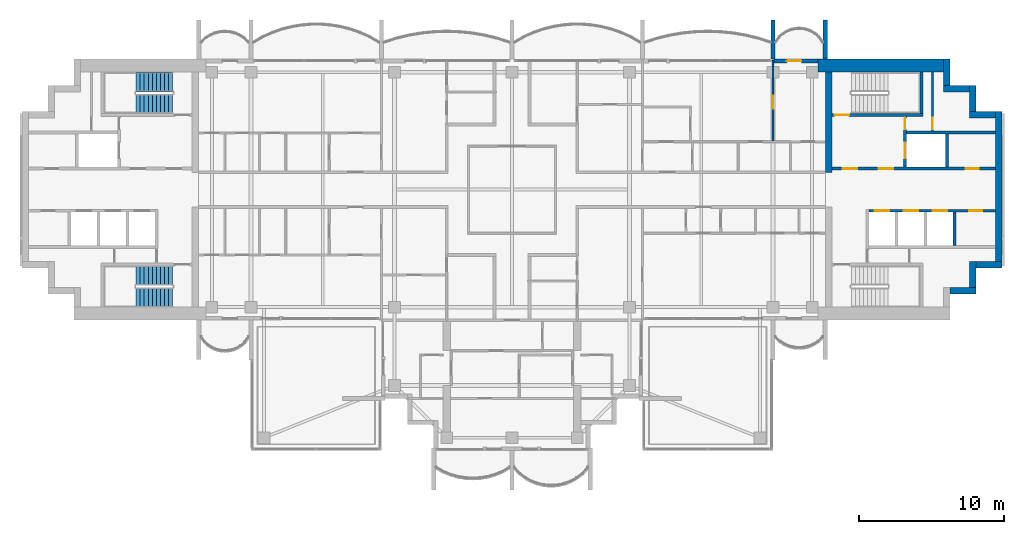
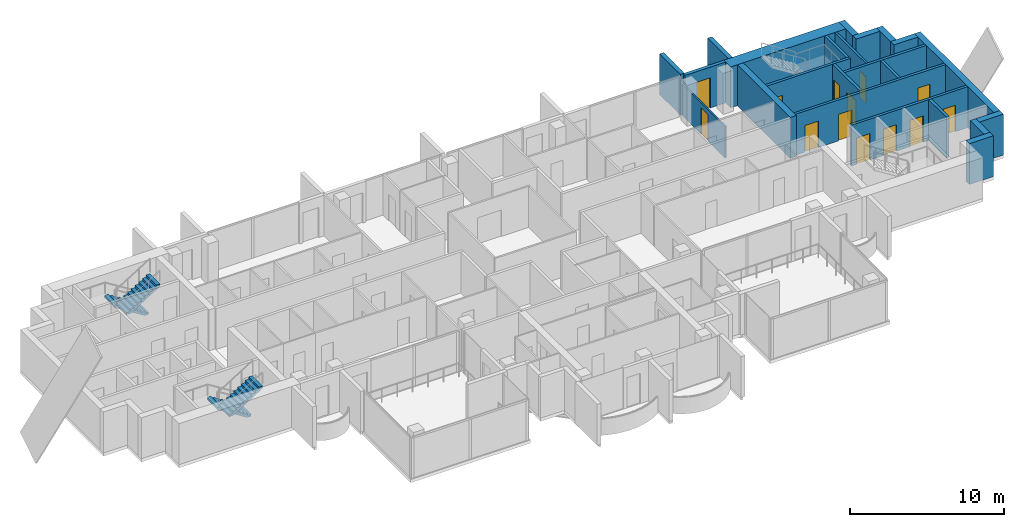
# One storey, part 12 of 17: 23 walls, 13 doors, 4 stair flights, 13 openings, 2 elements without a shape of their own.
"""IFC4 building model written with IfcOpenShell, lengths in metres."""

from ifc_helpers import new_model, si_unit, direction, frame, frame_2d, origin, place, context, subcontext, project, spatial, polyline, rectangle, outline, extrude, material, layer, layer_set, type_object, element, fill, aggregate, save


model = new_model("IFC4")

# Units and contexts
model_context = context("Model", 3, precision=1e-05, world=origin(), true_north=direction((0.0, 1.0)))
body_context = subcontext(model_context, "Body", "Model", "MODEL_VIEW")
ifc_project = project(units=[si_unit("LENGTHUNIT", "METRE"), si_unit("AREAUNIT", "SQUARE_METRE"), si_unit("VOLUMEUNIT", "CUBIC_METRE"), si_unit("PLANEANGLEUNIT", "RADIAN"), si_unit("MASSUNIT", "GRAM", prefix="KILO")], contexts=[model_context])

# Site, building, storey
site_placement = place(None, origin())
site = spatial("IfcSite", under=ifc_project, at=site_placement, CompositionType="ELEMENT")
building_placement = place(site_placement, origin())
building = spatial("IfcBuilding", under=site, at=building_placement, Name="Perihelion Cross Residences", CompositionType="ELEMENT")
storey_placement = place(building_placement, frame((0.0, 0.0, 278.0)))
storey = spatial("IfcBuildingStorey", under=building, at=storey_placement, Name="L71", CompositionType="ELEMENT", Elevation=278.0)

# Wall, opening, door
ifc_material_1 = material(Name="Concrete C30/37, bronze-clad", Category="concrete")
ifc_layer_1 = layer(ifc_material_1, 0.25)
ifc_layer_set_1 = layer_set([ifc_layer_1], Name="Bronze-clad pier wall 250")
wall_type_1 = type_object("IfcWallType", Name="Bronze-clad pier wall 250", PredefinedType="SOLIDWALL", material=ifc_layer_set_1)
wall_1_placement = place(storey_placement, frame((21.10009765625, 8.875, 0.0), z_axis=(0.0, 0.0, 1.0), x_axis=(-1.0, 0.0, 0.0)))
wall_1 = element("IfcWall", 1, at=wall_1_placement, inside=storey, type_object=wall_type_1, Name="Wall FW1 L71 east side north bay 1 pier", PredefinedType="SOLIDWALL", context=body_context, shape_type="SweptSolid", body=[
    extrude(rectangle(XDim=3.0400390625, YDim=0.25, at=frame_2d((1.52001953125, 0.0))), origin(), (0.0, 0.0, 1.0), 3.25),
])
opening_1_placement = place(wall_1_placement, frame((1.14990234375, 0.0, 0.0)))
opening_1 = element("IfcOpeningElement", 2, at=opening_1_placement, cuts=wall_1, Name="Opening L71.E01", PredefinedType="OPENING", context=body_context, shape_type="SweptSolid", body=[
    extrude(rectangle(XDim=1.0, YDim=2.39990234375, at=frame_2d((0.5, 1.199951171875))), frame((0.0, 0.135009765625, 0.0), z_axis=(0.0, -1.0, 0.0), x_axis=(1.0, 0.0, 0.0)), (0.0, 0.0, 1.0), 0.27001953125),
])
ifc_material_2 = material(Name="Bronze anodised aluminium, glazed", Category="aluminium")
door_type_1 = type_object("IfcDoorType", Name="Balcony door 1000 x 2400", OperationType="NOTDEFINED", PredefinedType="DOOR", material=ifc_material_2)
door_1_placement = place(opening_1_placement, origin())
door_1 = element("IfcDoor", 3, at=door_1_placement, inside=storey, type_object=door_type_1, Name="Door L71.E01 east side north bay 1", OperationType="SINGLE_SWING_LEFT", OverallHeight=2.39990234375, OverallWidth=1.0, PredefinedType="DOOR", context=body_context, shape_type="SweptSolid", body=[
    extrude(rectangle(XDim=1.0, YDim=2.39990234375, at=frame_2d((0.5, 1.199951171875))), frame((0.0, 0.02490234375, 0.0), z_axis=(0.0, -1.0, 0.0), x_axis=(1.0, 0.0, 0.0)), (0.0, 0.0, 1.0), 0.050048828125),
])
fill(opening_1, door_1)

# Walls
ifc_material_3 = material(Name="Concrete C60/75", Category="concrete")
ifc_layer_2 = layer(ifc_material_3, 0.449951171875)
ifc_layer_set_2 = layer_set([ifc_layer_2], Name="Core wall, inner 450")
wall_type_2 = type_object("IfcWallType", Name="Core wall, inner 450", PredefinedType="SHEAR", material=ifc_layer_set_2)
wall_2_placement = place(storey_placement, frame((21.824951171875, 1.199951171875, 0.0), z_axis=(0.0, 0.0, 1.0), x_axis=(0.0, 1.0, 0.0)))
element("IfcWall", 4, at=wall_2_placement, inside=storey, type_object=wall_type_2, Name="East core core wall, inner", PredefinedType="SHEAR", context=body_context, shape_type="SweptSolid", body=[
    extrude(rectangle(XDim=6.900146484375, YDim=0.449951171875, at=frame_2d((3.4501953125, 0.0))), origin(), (0.0, 0.0, 1.0), 3.25),
])
ifc_material_4 = material(Name="Concrete C60/75", Category="concrete")
ifc_layer_3 = layer(ifc_material_4, 0.449951171875)
ifc_layer_set_3 = layer_set([ifc_layer_3], Name="Core wall, outer 450")
wall_type_3 = type_object("IfcWallType", Name="Core wall, outer 450", PredefinedType="SHEAR", material=ifc_layer_set_3)
for number, where, z_axis, x_axis, name in (
    (5, (30.199951171875, -6.97509765625, 0.0), (0.0, 0.0, 1.0), (1.0, 0.0, 0.0), "East core core wall, outer"),
    (6, (31.77490234375, -6.75, 0.0), (0.0, 0.0, 1.0), (0.0, 1.0, 0.0), "East core core wall, outer"),
    (7, (32.0, -5.175048828125, 0.0), (0.0, 0.0, 1.0), (1.0, 0.0, 0.0), "East core core wall, outer"),
):
    element("IfcWall", number, at=place(storey_placement, frame(where, z_axis=z_axis, x_axis=x_axis)), inside=storey, type_object=wall_type_3, Name=name, PredefinedType="SHEAR", context=body_context, shape_type="SweptSolid", body=[
        extrude(rectangle(XDim=1.800048828125, YDim=0.449951171875, at=frame_2d((0.89990234375, 0.0))), origin(), (0.0, 0.0, 1.0), 3.25),
    ])
wall_3_placement = place(storey_placement, frame((33.574951171875, -4.949951171875, 0.0), z_axis=(0.0, 0.0, 1.0), x_axis=(0.0, 1.0, 0.0)))
element("IfcWall", 8, at=wall_3_placement, inside=storey, type_object=wall_type_3, Name="East core core wall, outer", PredefinedType="SHEAR", context=body_context, shape_type="SweptSolid", body=[
    extrude(rectangle(XDim=10.349853515625, YDim=0.449951171875, at=frame_2d((5.1748046875, 0.0))), origin(), (0.0, 0.0, 1.0), 3.25),
])
for number, where, z_axis, x_axis, name in (
    (9, (31.550048828125, 5.175048828125, 0.0), (0.0, 0.0, 1.0), (1.0, 0.0, 0.0), "East core core wall, outer"),
    (10, (31.77490234375, 5.39990234375, 0.0), (0.0, 0.0, 1.0), (0.0, 1.0, 0.0), "East core core wall, outer"),
    (11, (29.75, 6.97509765625, 0.0), (0.0, 0.0, 1.0), (1.0, 0.0, 0.0), "East core core wall, outer"),
    (12, (29.97509765625, 7.199951171875, 0.0), (0.0, 0.0, 1.0), (0.0, 1.0, 0.0), "East core core wall, outer"),
):
    element("IfcWall", number, at=place(storey_placement, frame(where, z_axis=z_axis, x_axis=x_axis)), inside=storey, type_object=wall_type_3, Name=name, PredefinedType="SHEAR", context=body_context, shape_type="SweptSolid", body=[
        extrude(rectangle(XDim=1.800048828125, YDim=0.449951171875, at=frame_2d((0.89990234375, 0.0))), origin(), (0.0, 0.0, 1.0), 3.25),
    ])
ifc_material_5 = material(Name="Concrete C60/75", Category="concrete")
ifc_layer_4 = layer(ifc_material_5, 0.89990234375)
ifc_layer_set_4 = layer_set([ifc_layer_4], Name="Core wall, outer 900")
wall_type_4 = type_object("IfcWallType", Name="Core wall, outer 900", PredefinedType="SHEAR", material=ifc_layer_set_4)
wall_4_placement = place(storey_placement, frame((21.10009765625, 8.550048828125, 0.0), z_axis=(0.0, 0.0, 1.0), x_axis=(1.0, 0.0, 0.0)))
element("IfcWall", 13, at=wall_4_placement, inside=storey, type_object=wall_type_4, Name="East core core wall, outer", PredefinedType="SHEAR", context=body_context, shape_type="SweptSolid", body=[
    extrude(rectangle(XDim=8.64990234375, YDim=0.89990234375, at=frame_2d((4.324951171875, 0.0))), origin(), (0.0, 0.0, 1.0), 3.25),
])

# Wall, opening, door
ifc_material_6 = material(Name="Plasterboard partition")
ifc_layer_5 = layer(ifc_material_6, 0.1201171875)
ifc_layer_set_5 = layer_set([ifc_layer_5], Name="Partition wall 120")
wall_type_5 = type_object("IfcWallType", Name="Partition wall 120", PredefinedType="PARTITIONING", material=ifc_layer_set_5)
wall_5_placement = place(storey_placement, frame((18.0, 8.919921875, 0.0), z_axis=(0.0, 0.0, 1.0), x_axis=(0.0, -1.0, 0.0)))
wall_5 = element("IfcWall", 14, at=wall_5_placement, inside=storey, type_object=wall_type_5, Name="Partition L71 W031", PredefinedType="PARTITIONING", context=body_context, shape_type="SweptSolid", body=[
    extrude(rectangle(XDim=5.559814453125, YDim=0.1201171875, at=frame_2d((2.77978515625, 0.0))), origin(), (0.0, 0.0, 1.0), 2.49609375),
])
opening_2_placement = place(wall_5_placement, frame((2.43994140625, 0.0, 0.0)))
opening_2 = element("IfcOpeningElement", 15, at=opening_2_placement, cuts=wall_5, Name="Opening L71.A08", PredefinedType="OPENING", context=body_context, shape_type="SweptSolid", body=[
    extrude(rectangle(XDim=0.89990234375, YDim=2.10009765625, at=frame_2d((0.449951171875, 1.050048828125))), frame((0.0, 0.070068359375, 0.0), z_axis=(0.0, -1.0, 0.0), x_axis=(1.0, 0.0, 0.0)), (0.0, 0.0, 1.0), 0.14013671875),
])
ifc_material_7 = material(Name="Timber door leaf", Category="wood")
door_type_2 = type_object("IfcDoorType", Name="Interior room door 900 x 2100", OperationType="SINGLE_SWING_LEFT", PredefinedType="DOOR", material=ifc_material_7)
door_2_placement = place(opening_2_placement, origin())
door_2 = element("IfcDoor", 16, at=door_2_placement, inside=storey, type_object=door_type_2, Name="Door L71.A08", OperationType="SINGLE_SWING_LEFT", OverallHeight=2.10009765625, OverallWidth=0.89990234375, PredefinedType="DOOR", context=body_context, shape_type="SweptSolid", body=[
    extrude(rectangle(XDim=0.89990234375, YDim=2.10009765625, at=frame_2d((0.449951171875, 1.050048828125))), frame((0.0, 0.02490234375, 0.0), z_axis=(0.0, -1.0, 0.0), x_axis=(1.0, 0.0, 0.0)), (0.0, 0.0, 1.0), 0.050048828125),
])
fill(opening_2, door_2)

# Walls
ifc_material_8 = material(Name="Precast concrete C50/60", Category="concrete")
ifc_layer_6 = layer(ifc_material_8, 0.300048828125)
ifc_layer_set_6 = layer_set([ifc_layer_6], Name="Precast concrete C50/60 blade wall 300")
wall_type_6 = type_object("IfcWallType", Name="Precast concrete C50/60 blade wall 300", PredefinedType="SOLIDWALL", material=ifc_layer_set_6)
for number, where, z_axis, x_axis, name in (
    (17, (18.0, 9.0, 0.0), (0.0, 0.0, 1.0), (0.0, 1.0, 0.0), "Wall BL1 L71 no. 11"),
    (18, (21.60009765625, 9.0, 0.0), (0.0, 0.0, 1.0), (0.0, 1.0, 0.0), "Wall BL1 L71 no. 13"),
):
    element("IfcWall", number, at=place(storey_placement, frame(where, z_axis=z_axis, x_axis=x_axis)), inside=storey, type_object=wall_type_6, Name=name, PredefinedType="SOLIDWALL", context=body_context, shape_type="SweptSolid", body=[
        extrude(rectangle(XDim=2.699951171875, YDim=0.300048828125, at=frame_2d((1.35009765625, 0.0))), origin(), (0.0, 0.0, 1.0), 3.25),
    ])

# Wall, opening, door
ifc_material_9 = material(Name="Fire-rated board on steel stud", Category="steel")
ifc_layer_7 = layer(ifc_material_9, 0.14990234375)
ifc_layer_set_7 = layer_set([ifc_layer_7], Name="Riser wall 150")
wall_type_7 = type_object("IfcWallType", Name="Riser wall 150", PredefinedType="PARTITIONING", material=ifc_layer_set_7)
wall_6_placement = place(storey_placement, frame((29.0, 4.050048828125, 0.0), z_axis=(0.0, 0.0, 1.0), x_axis=(0.0, 1.0, 0.0)))
wall_6 = element("IfcWall", 19, at=wall_6_placement, inside=storey, type_object=wall_type_7, Name="East core riser wall", PredefinedType="PARTITIONING", context=body_context, shape_type="SweptSolid", body=[
    extrude(rectangle(XDim=4.050048828125, YDim=0.14990234375, at=frame_2d((2.02490234375, 0.0))), origin(), (0.0, 0.0, 1.0), 3.25),
])
opening_3_placement = place(wall_6_placement, frame((0.10009765625, 0.0, 0.0)))
opening_3 = element("IfcOpeningElement", 20, at=opening_3_placement, cuts=wall_6, Name="Opening L71.C12", PredefinedType="OPENING", context=body_context, shape_type="SweptSolid", body=[
    extrude(rectangle(XDim=0.800048828125, YDim=2.10009765625, at=frame_2d((0.39990234375, 1.050048828125))), frame((0.0, 0.0849609375, 0.0), z_axis=(0.0, -1.0, 0.0), x_axis=(1.0, 0.0, 0.0)), (0.0, 0.0, 1.0), 0.169921875),
])
ifc_material_10 = material(Name="Steel, powder coated", Category="steel")
door_type_3 = type_object("IfcDoorType", Name="Riser door 800", OperationType="SINGLE_SWING_LEFT", PredefinedType="DOOR", material=ifc_material_10)
door_3_placement = place(opening_3_placement, origin())
door_3 = element("IfcDoor", 21, at=door_3_placement, inside=storey, type_object=door_type_3, Name="East core riser door", OperationType="SINGLE_SWING_LEFT", OverallHeight=2.10009765625, OverallWidth=0.800048828125, PredefinedType="DOOR", context=body_context, shape_type="SweptSolid", body=[
    extrude(rectangle(XDim=0.800048828125, YDim=2.10009765625, at=frame_2d((0.39990234375, 1.050048828125))), frame((0.0, 0.02490234375, 0.0), z_axis=(0.0, -1.0, 0.0), x_axis=(1.0, 0.0, 0.0)), (0.0, 0.0, 1.0), 0.050048828125),
])
fill(opening_3, door_3)

# Wall, openings, doors
ifc_material_11 = material(Name="Concrete C50/60", Category="concrete")
ifc_layer_8 = layer(ifc_material_11, 0.199951171875)
ifc_layer_set_8 = layer_set([ifc_layer_8], Name="Shaft wall 200")
wall_type_8 = type_object("IfcWallType", Name="Shaft wall 200", PredefinedType="SOLIDWALL", material=ifc_layer_set_8)
wall_7_placement = place(storey_placement, frame((22.050048828125, 1.449951171875, 0.0), z_axis=(0.0, 0.0, 1.0), x_axis=(1.0, 0.0, 0.0)))
wall_7 = element("IfcWall", 22, at=wall_7_placement, inside=storey, type_object=wall_type_8, Name="East core shaft wall", PredefinedType="SOLIDWALL", context=body_context, shape_type="SweptSolid", body=[
    extrude(rectangle(XDim=11.300048828125, YDim=0.199951171875, at=frame_2d((5.64990234375, 0.0))), origin(), (0.0, 0.0, 1.0), 3.25),
])
opening_4_placement = place(wall_7_placement, frame((0.75, 0.0, 0.0)))
opening_4 = element("IfcOpeningElement", 23, at=opening_4_placement, cuts=wall_7, Name="Opening L71.C07", PredefinedType="OPENING", context=body_context, shape_type="SweptSolid", body=[
    extrude(rectangle(XDim=1.0, YDim=2.10009765625, at=frame_2d((0.5, 1.050048828125))), frame((0.0, 0.10986328125, 0.0), z_axis=(0.0, -1.0, 0.0), x_axis=(1.0, 0.0, 0.0)), (0.0, 0.0, 1.0), 0.219970703125),
])
opening_5_placement = place(wall_7_placement, frame((3.25, 0.0, 0.0)))
opening_5 = element("IfcOpeningElement", 24, at=opening_5_placement, cuts=wall_7, Name="Opening L71.C09", PredefinedType="OPENING", context=body_context, shape_type="SweptSolid", body=[
    extrude(rectangle(XDim=1.0, YDim=2.10009765625, at=frame_2d((0.5, 1.050048828125))), frame((0.0, 0.10986328125, 0.0), z_axis=(0.0, -1.0, 0.0), x_axis=(1.0, 0.0, 0.0)), (0.0, 0.0, 1.0), 0.219970703125),
])
opening_6_placement = place(wall_7_placement, frame((9.22509765625, 0.0, 0.0)))
opening_6 = element("IfcOpeningElement", 25, at=opening_6_placement, cuts=wall_7, Name="Opening L71.C13", PredefinedType="OPENING", context=body_context, shape_type="SweptSolid", body=[
    extrude(rectangle(XDim=0.89990234375, YDim=2.10009765625, at=frame_2d((0.449951171875, 1.050048828125))), frame((0.0, 0.10986328125, 0.0), z_axis=(0.0, -1.0, 0.0), x_axis=(1.0, 0.0, 0.0)), (0.0, 0.0, 1.0), 0.219970703125),
])
ifc_material_12 = material(Name="Steel, powder coated", Category="steel")
door_type_4 = type_object("IfcDoorType", Name="Lobby door 1000", OperationType="SINGLE_SWING_LEFT", PredefinedType="DOOR", material=ifc_material_12)
door_4_placement = place(opening_4_placement, origin())
door_4 = element("IfcDoor", 26, at=door_4_placement, inside=storey, type_object=door_type_4, Name="East core firefighting lobby door", OperationType="SINGLE_SWING_LEFT", OverallHeight=2.10009765625, OverallWidth=1.0, PredefinedType="DOOR", context=body_context, shape_type="SweptSolid", body=[
    extrude(rectangle(XDim=1.0, YDim=2.10009765625, at=frame_2d((0.5, 1.050048828125))), frame((0.0, 0.02490234375, 0.0), z_axis=(0.0, -1.0, 0.0), x_axis=(1.0, 0.0, 0.0)), (0.0, 0.0, 1.0), 0.050048828125),
])
fill(opening_4, door_4)
door_5_placement = place(opening_5_placement, origin())
door_5 = element("IfcDoor", 27, at=door_5_placement, inside=storey, type_object=door_type_4, Name="East core firefighting lobby door", OperationType="SINGLE_SWING_LEFT", OverallHeight=2.10009765625, OverallWidth=1.0, PredefinedType="DOOR", context=body_context, shape_type="SweptSolid", body=[
    extrude(rectangle(XDim=1.0, YDim=2.10009765625, at=frame_2d((0.5, 1.050048828125))), frame((0.0, 0.02490234375, 0.0), z_axis=(0.0, -1.0, 0.0), x_axis=(1.0, 0.0, 0.0)), (0.0, 0.0, 1.0), 0.050048828125),
])
fill(opening_5, door_5)
ifc_material_13 = material(Name="Steel, powder coated", Category="steel")
door_type_5 = type_object("IfcDoorType", Name="Service room door 900", OperationType="SINGLE_SWING_LEFT", PredefinedType="DOOR", material=ifc_material_13)
door_6_placement = place(opening_6_placement, origin())
door_6 = element("IfcDoor", 28, at=door_6_placement, inside=storey, type_object=door_type_5, Name="East core service room door", OperationType="SINGLE_SWING_LEFT", OverallHeight=2.10009765625, OverallWidth=0.89990234375, PredefinedType="DOOR", context=body_context, shape_type="SweptSolid", body=[
    extrude(rectangle(XDim=0.89990234375, YDim=2.10009765625, at=frame_2d((0.449951171875, 1.050048828125))), frame((0.0, 0.02490234375, 0.0), z_axis=(0.0, -1.0, 0.0), x_axis=(1.0, 0.0, 0.0)), (0.0, 0.0, 1.0), 0.050048828125),
])
fill(opening_6, door_6)

wall_8_placement = place(storey_placement, frame((24.60009765625, -1.449951171875, 0.0), z_axis=(0.0, 0.0, 1.0), x_axis=(1.0, 0.0, 0.0)))
wall_8 = element("IfcWall", 29, at=wall_8_placement, inside=storey, type_object=wall_type_8, Name="East core shaft wall", PredefinedType="SOLIDWALL", context=body_context, shape_type="SweptSolid", body=[
    extrude(rectangle(XDim=8.75, YDim=0.199951171875, at=frame_2d((4.375, 0.0))), origin(), (0.0, 0.0, 1.0), 3.25),
])
opening_7_placement = place(wall_8_placement, frame((0.39990234375, 0.0, 0.0)))
opening_7 = element("IfcOpeningElement", 30, at=opening_7_placement, cuts=wall_8, Name="Opening L71.C01", PredefinedType="OPENING", context=body_context, shape_type="SweptSolid", body=[
    extrude(rectangle(XDim=1.0, YDim=2.10009765625, at=frame_2d((0.5, 1.050048828125))), frame((0.0, 0.10986328125, 0.0), z_axis=(0.0, -1.0, 0.0), x_axis=(1.0, 0.0, 0.0)), (0.0, 0.0, 1.0), 0.219970703125),
])
opening_8_placement = place(wall_8_placement, frame((2.39990234375, 0.0, 0.0)))
opening_8 = element("IfcOpeningElement", 31, at=opening_8_placement, cuts=wall_8, Name="Opening L71.C03", PredefinedType="OPENING", context=body_context, shape_type="SweptSolid", body=[
    extrude(rectangle(XDim=1.0, YDim=2.10009765625, at=frame_2d((0.5, 1.050048828125))), frame((0.0, 0.10986328125, 0.0), z_axis=(0.0, -1.0, 0.0), x_axis=(1.0, 0.0, 0.0)), (0.0, 0.0, 1.0), 0.219970703125),
])
opening_9_placement = place(wall_8_placement, frame((4.39990234375, 0.0, 0.0)))
opening_9 = element("IfcOpeningElement", 32, at=opening_9_placement, cuts=wall_8, Name="Opening L71.C04", PredefinedType="OPENING", context=body_context, shape_type="SweptSolid", body=[
    extrude(rectangle(XDim=1.0, YDim=2.10009765625, at=frame_2d((0.5, 1.050048828125))), frame((0.0, 0.10986328125, 0.0), z_axis=(0.0, -1.0, 0.0), x_axis=(1.0, 0.0, 0.0)), (0.0, 0.0, 1.0), 0.219970703125),
])
opening_10_placement = place(wall_8_placement, frame((6.925048828125, 0.0, 0.0)))
opening_10 = element("IfcOpeningElement", 33, at=opening_10_placement, cuts=wall_8, Name="Opening L71.C14", PredefinedType="OPENING", context=body_context, shape_type="SweptSolid", body=[
    extrude(rectangle(XDim=0.89990234375, YDim=2.10009765625, at=frame_2d((0.449951171875, 1.050048828125))), frame((0.0, 0.10986328125, 0.0), z_axis=(0.0, -1.0, 0.0), x_axis=(1.0, 0.0, 0.0)), (0.0, 0.0, 1.0), 0.219970703125),
])
ifc_material_14 = material(Name="Stainless steel", Category="steel")
door_type_6 = type_object("IfcDoorType", Name="Landing door 1000", OperationType="DOUBLE_DOOR_SLIDING", PredefinedType="DOOR", material=ifc_material_14)
door_7_placement = place(opening_7_placement, origin())
door_7 = element("IfcDoor", 34, at=door_7_placement, inside=storey, type_object=door_type_6, Name="Landing door, East core high-rise lift 1", OperationType="DOUBLE_DOOR_SLIDING", OverallHeight=2.10009765625, OverallWidth=1.0, PredefinedType="DOOR", context=body_context, shape_type="SweptSolid", body=[
    extrude(rectangle(XDim=1.0, YDim=2.10009765625, at=frame_2d((0.5, 1.050048828125))), frame((0.0, 0.02490234375, 0.0), z_axis=(0.0, -1.0, 0.0), x_axis=(1.0, 0.0, 0.0)), (0.0, 0.0, 1.0), 0.050048828125),
])
fill(opening_7, door_7)
door_8_placement = place(opening_8_placement, origin())
door_8 = element("IfcDoor", 35, at=door_8_placement, inside=storey, type_object=door_type_6, Name="Landing door, East core high-rise lift 2", OperationType="DOUBLE_DOOR_SLIDING", OverallHeight=2.10009765625, OverallWidth=1.0, PredefinedType="DOOR", context=body_context, shape_type="SweptSolid", body=[
    extrude(rectangle(XDim=1.0, YDim=2.10009765625, at=frame_2d((0.5, 1.050048828125))), frame((0.0, 0.02490234375, 0.0), z_axis=(0.0, -1.0, 0.0), x_axis=(1.0, 0.0, 0.0)), (0.0, 0.0, 1.0), 0.050048828125),
])
fill(opening_8, door_8)
door_9_placement = place(opening_9_placement, origin())
door_9 = element("IfcDoor", 36, at=door_9_placement, inside=storey, type_object=door_type_6, Name="Landing door, East core high-rise lift 3", OperationType="DOUBLE_DOOR_SLIDING", OverallHeight=2.10009765625, OverallWidth=1.0, PredefinedType="DOOR", context=body_context, shape_type="SweptSolid", body=[
    extrude(rectangle(XDim=1.0, YDim=2.10009765625, at=frame_2d((0.5, 1.050048828125))), frame((0.0, 0.02490234375, 0.0), z_axis=(0.0, -1.0, 0.0), x_axis=(1.0, 0.0, 0.0)), (0.0, 0.0, 1.0), 0.050048828125),
])
fill(opening_9, door_9)
door_10_placement = place(opening_10_placement, origin())
door_10 = element("IfcDoor", 37, at=door_10_placement, inside=storey, type_object=door_type_5, Name="East core service room door", OperationType="SINGLE_SWING_LEFT", OverallHeight=2.10009765625, OverallWidth=0.89990234375, PredefinedType="DOOR", context=body_context, shape_type="SweptSolid", body=[
    extrude(rectangle(XDim=0.89990234375, YDim=2.10009765625, at=frame_2d((0.449951171875, 1.050048828125))), frame((0.0, 0.02490234375, 0.0), z_axis=(0.0, -1.0, 0.0), x_axis=(1.0, 0.0, 0.0)), (0.0, 0.0, 1.0), 0.050048828125),
])
fill(opening_10, door_10)

# Wall
wall_9_placement = place(storey_placement, frame((27.199951171875, 3.949951171875, 0.0), z_axis=(0.0, 0.0, 1.0), x_axis=(1.0, 0.0, 0.0)))
element("IfcWall", 38, at=wall_9_placement, inside=storey, type_object=wall_type_8, Name="East core shaft wall", PredefinedType="SOLIDWALL", context=body_context, shape_type="SweptSolid", body=[
    extrude(rectangle(XDim=6.150146484375, YDim=0.199951171875, at=frame_2d((3.0751953125, 0.0))), origin(), (0.0, 0.0, 1.0), 3.25),
])

# Wall, openings, doors
wall_10_placement = place(storey_placement, frame((27.10009765625, 1.550048828125, 0.0), z_axis=(0.0, 0.0, 1.0), x_axis=(0.0, 1.0, 0.0)))
wall_10 = element("IfcWall", 39, at=wall_10_placement, inside=storey, type_object=wall_type_8, Name="East core shaft wall", PredefinedType="SOLIDWALL", context=body_context, shape_type="SweptSolid", body=[
    extrude(rectangle(XDim=3.5, YDim=0.199951171875, at=frame_2d((1.75, 0.0))), origin(), (0.0, 0.0, 1.0), 3.25),
])
opening_11_placement = place(wall_10_placement, frame((0.60009765625, 0.0, 0.0)))
opening_11 = element("IfcOpeningElement", 40, at=opening_11_placement, cuts=wall_10, Name="Opening L71.C02", PredefinedType="OPENING", context=body_context, shape_type="SweptSolid", body=[
    extrude(rectangle(XDim=1.10009765625, YDim=2.10009765625, at=frame_2d((0.550048828125, 1.050048828125))), frame((0.0, 0.10986328125, 0.0), z_axis=(0.0, -1.0, 0.0), x_axis=(1.0, 0.0, 0.0)), (0.0, 0.0, 1.0), 0.219970703125),
])
opening_12_placement = place(wall_10_placement, frame((2.60009765625, 0.0, 0.0)))
opening_12 = element("IfcOpeningElement", 41, at=opening_12_placement, cuts=wall_10, Name="Opening L71.C10", PredefinedType="OPENING", context=body_context, shape_type="SweptSolid", body=[
    extrude(rectangle(XDim=0.800048828125, YDim=2.10009765625, at=frame_2d((0.39990234375, 1.050048828125))), frame((0.0, 0.10986328125, 0.0), z_axis=(0.0, -1.0, 0.0), x_axis=(1.0, 0.0, 0.0)), (0.0, 0.0, 1.0), 0.219970703125),
])
ifc_material_15 = material(Name="Stainless steel", Category="steel")
door_type_7 = type_object("IfcDoorType", Name="Landing door, firefighting lift 1100", OperationType="DOUBLE_DOOR_SLIDING", PredefinedType="DOOR", material=ifc_material_15)
door_11_placement = place(opening_11_placement, origin())
door_11 = element("IfcDoor", 42, at=door_11_placement, inside=storey, type_object=door_type_7, Name="Landing door, East core firefighting and service lift", OperationType="DOUBLE_DOOR_SLIDING", OverallHeight=2.10009765625, OverallWidth=1.10009765625, PredefinedType="DOOR", context=body_context, shape_type="SweptSolid", body=[
    extrude(rectangle(XDim=1.10009765625, YDim=2.10009765625, at=frame_2d((0.550048828125, 1.050048828125))), frame((0.0, 0.02490234375, 0.0), z_axis=(0.0, -1.0, 0.0), x_axis=(1.0, 0.0, 0.0)), (0.0, 0.0, 1.0), 0.050048828125),
])
fill(opening_11, door_11)
door_12_placement = place(opening_12_placement, origin())
door_12 = element("IfcDoor", 43, at=door_12_placement, inside=storey, type_object=door_type_3, Name="East core riser door", OperationType="SINGLE_SWING_LEFT", OverallHeight=2.10009765625, OverallWidth=0.800048828125, PredefinedType="DOOR", context=body_context, shape_type="SweptSolid", body=[
    extrude(rectangle(XDim=0.800048828125, YDim=2.10009765625, at=frame_2d((0.39990234375, 1.050048828125))), frame((0.0, 0.02490234375, 0.0), z_axis=(0.0, -1.0, 0.0), x_axis=(1.0, 0.0, 0.0)), (0.0, 0.0, 1.0), 0.050048828125),
])
fill(opening_12, door_12)

# Walls
for number, where, z_axis, x_axis, name in (
    (44, (30.0, 1.550048828125, 0.0), (0.0, 0.0, 1.0), (0.0, 1.0, 0.0), "East core shaft wall"),
    (45, (30.5, -3.85009765625, 0.0), (0.0, 0.0, 1.0), (0.0, 1.0, 0.0), "East core shaft wall"),
):
    element("IfcWall", number, at=place(storey_placement, frame(where, z_axis=z_axis, x_axis=x_axis)), inside=storey, type_object=wall_type_8, Name=name, PredefinedType="SOLIDWALL", context=body_context, shape_type="SweptSolid", body=[
        extrude(rectangle(XDim=2.300048828125, YDim=0.199951171875, at=frame_2d((1.14990234375, 0.0))), origin(), (0.0, 0.0, 1.0), 3.25),
    ])

# Wall, opening, door
ifc_material_16 = material(Name="Concrete C50/60", Category="concrete")
ifc_layer_9 = layer(ifc_material_16, 0.199951171875)
ifc_layer_set_9 = layer_set([ifc_layer_9], Name="Stair wall 200")
wall_type_9 = type_object("IfcWallType", Name="Stair wall 200", PredefinedType="SOLIDWALL", material=ifc_layer_set_9)
wall_11_placement = place(storey_placement, frame((22.050048828125, 5.14990234375, 0.0), z_axis=(0.0, 0.0, 1.0), x_axis=(1.0, 0.0, 0.0)))
wall_11 = element("IfcWall", 46, at=wall_11_placement, inside=storey, type_object=wall_type_9, Name="East core stair wall", PredefinedType="SOLIDWALL", context=body_context, shape_type="SweptSolid", body=[
    extrude(rectangle(XDim=6.300048828125, YDim=0.199951171875, at=frame_2d((3.14990234375, 0.0))), origin(), (0.0, 0.0, 1.0), 3.25),
])
opening_13_placement = place(wall_11_placement, frame((0.199951171875, 0.0, 0.0)))
opening_13 = element("IfcOpeningElement", 47, at=opening_13_placement, cuts=wall_11, Name="Opening L71.C06", PredefinedType="OPENING", context=body_context, shape_type="SweptSolid", body=[
    extrude(rectangle(XDim=1.0, YDim=2.10009765625, at=frame_2d((0.5, 1.050048828125))), frame((0.0, 0.10986328125, 0.0), z_axis=(0.0, -1.0, 0.0), x_axis=(1.0, 0.0, 0.0)), (0.0, 0.0, 1.0), 0.219970703125),
])
ifc_material_17 = material(Name="Steel, powder coated", Category="steel")
door_type_8 = type_object("IfcDoorType", Name="Stair door 1000", OperationType="SINGLE_SWING_LEFT", PredefinedType="DOOR", material=ifc_material_17)
door_13_placement = place(opening_13_placement, origin())
door_13 = element("IfcDoor", 48, at=door_13_placement, inside=storey, type_object=door_type_8, Name="East core stair door", OperationType="SINGLE_SWING_LEFT", OverallHeight=2.10009765625, OverallWidth=1.0, PredefinedType="DOOR", context=body_context, shape_type="SweptSolid", body=[
    extrude(rectangle(XDim=1.0, YDim=2.10009765625, at=frame_2d((0.5, 1.050048828125))), frame((0.0, 0.02490234375, 0.0), z_axis=(0.0, -1.0, 0.0), x_axis=(1.0, 0.0, 0.0)), (0.0, 0.0, 1.0), 0.050048828125),
])
fill(opening_13, door_13)

# Wall
wall_12_placement = place(storey_placement, frame((28.25, 5.25, 0.0), z_axis=(0.0, 0.0, 1.0), x_axis=(0.0, 1.0, 0.0)))
element("IfcWall", 49, at=wall_12_placement, inside=storey, type_object=wall_type_9, Name="East core stair wall", PredefinedType="SOLIDWALL", context=body_context, shape_type="SweptSolid", body=[
    extrude(rectangle(XDim=2.85009765625, YDim=0.199951171875, at=frame_2d((1.425048828125, 0.0))), origin(), (0.0, 0.0, 1.0), 3.25),
])

# Stair, stair flights
ifc_material_18 = material(Name="Concrete C40/50", Category="concrete")
stair_type = type_object("IfcStairType", Name="Exit stair, half-turn", PredefinedType="HALF_TURN_STAIR", material=ifc_material_18)
stair_1_placement = place(storey_placement, origin())
stair_1 = element("IfcStair", 50, at=stair_1_placement, inside=storey, type_object=stair_type, Name="L71 West core exit stair 1", PredefinedType="HALF_TURN_STAIR")
ifc_material_19 = material(Name="Concrete C40/50", Category="concrete")
stair_flight_type = type_object("IfcStairFlightType", Name="Exit stair flight", PredefinedType="STRAIGHT", material=ifc_material_19)
stair_flight_1_placement = place(storey_placement, frame((-23.39990234375, 7.425048828125, 0.0), z_axis=(0.0, 0.0, 1.0), x_axis=(-1.0, 0.0, 0.0)))
stair_flight_1 = element("IfcStairFlight", 51, at=stair_flight_1_placement, type_object=stair_flight_type, Name="ST-W1 flight 1", NumberOfRisers=10, NumberOfTreads=9, PredefinedType="STRAIGHT", RiserHeight=0.175, TreadLength=0.28, context=body_context, shape_type="SweptSolid", body=[
    extrude(outline(polyline([(0.0, 0.0), (0.0, 0.175048828125), (0.280029296875, 0.175048828125), (0.280029296875, 0.35009765625), (0.56005859375, 0.35009765625), (0.56005859375, 0.52490234375), (0.840087890625, 0.52490234375), (0.840087890625, 0.699951171875), (1.1201171875, 0.699951171875), (1.1201171875, 0.875), (1.39990234375, 0.875), (1.39990234375, 1.050048828125), (1.679931640625, 1.050048828125), (1.679931640625, 1.22509765625), (1.9599609375, 1.22509765625), (1.9599609375, 1.39990234375), (2.239990234375, 1.39990234375), (2.239990234375, 1.574951171875), (2.52001953125, 1.574951171875), (2.52001953125, 1.75), (2.52001953125, 1.398193359375), (0.28271484375, 0.0), (0.0, 0.0)])), frame((0.0, 0.675048828125, 0.0), z_axis=(0.0, -1.0, 0.0), x_axis=(1.0, 0.0, 0.0)), (0.0, 0.0, 1.0), 1.35009765625),
])
stair_flight_2_placement = place(storey_placement, frame((-25.919921875, 5.925048828125, 1.75), z_axis=(0.0, 0.0, 1.0), x_axis=(1.0, 0.0, 0.0)))
stair_flight_2 = element("IfcStairFlight", 52, at=stair_flight_2_placement, type_object=stair_flight_type, Name="ST-W1 flight 2", NumberOfRisers=10, NumberOfTreads=9, PredefinedType="STRAIGHT", RiserHeight=0.175, TreadLength=0.28, context=body_context, shape_type="SweptSolid", body=[
    extrude(outline(polyline([(0.0, 0.0), (0.0, 0.175048828125), (0.280029296875, 0.175048828125), (0.280029296875, 0.35009765625), (0.56005859375, 0.35009765625), (0.56005859375, 0.52490234375), (0.840087890625, 0.52490234375), (0.840087890625, 0.699951171875), (1.1201171875, 0.699951171875), (1.1201171875, 0.875), (1.39990234375, 0.875), (1.39990234375, 1.050048828125), (1.679931640625, 1.050048828125), (1.679931640625, 1.22509765625), (1.9599609375, 1.22509765625), (1.9599609375, 1.39990234375), (2.239990234375, 1.39990234375), (2.239990234375, 1.574951171875), (2.52001953125, 1.574951171875), (2.52001953125, 1.75), (2.52001953125, 1.398193359375), (0.28271484375, 0.0), (0.0, 0.0)])), frame((0.0, 0.675048828125, 0.0), z_axis=(0.0, -1.0, 0.0), x_axis=(1.0, 0.0, 0.0)), (0.0, 0.0, 1.0), 1.35009765625),
])
aggregate(stair_1, [stair_flight_1, stair_flight_2])

stair_2_placement = place(storey_placement, origin())
stair_2 = element("IfcStair", 53, at=stair_2_placement, inside=storey, type_object=stair_type, Name="L71 West core exit stair 2", PredefinedType="HALF_TURN_STAIR")
stair_flight_3_placement = place(storey_placement, frame((-23.39990234375, -5.925048828125, 0.0), z_axis=(0.0, 0.0, 1.0), x_axis=(-1.0, 0.0, 0.0)))
stair_flight_3 = element("IfcStairFlight", 54, at=stair_flight_3_placement, type_object=stair_flight_type, Name="ST-W2 flight 1", NumberOfRisers=10, NumberOfTreads=9, PredefinedType="STRAIGHT", RiserHeight=0.175, TreadLength=0.28, context=body_context, shape_type="SweptSolid", body=[
    extrude(outline(polyline([(0.0, 0.0), (0.0, 0.175048828125), (0.280029296875, 0.175048828125), (0.280029296875, 0.35009765625), (0.56005859375, 0.35009765625), (0.56005859375, 0.52490234375), (0.840087890625, 0.52490234375), (0.840087890625, 0.699951171875), (1.1201171875, 0.699951171875), (1.1201171875, 0.875), (1.39990234375, 0.875), (1.39990234375, 1.050048828125), (1.679931640625, 1.050048828125), (1.679931640625, 1.22509765625), (1.9599609375, 1.22509765625), (1.9599609375, 1.39990234375), (2.239990234375, 1.39990234375), (2.239990234375, 1.574951171875), (2.52001953125, 1.574951171875), (2.52001953125, 1.75), (2.52001953125, 1.398193359375), (0.28271484375, 0.0), (0.0, 0.0)])), frame((0.0, 0.675048828125, 0.0), z_axis=(0.0, -1.0, 0.0), x_axis=(1.0, 0.0, 0.0)), (0.0, 0.0, 1.0), 1.35009765625),
])
stair_flight_4_placement = place(storey_placement, frame((-25.919921875, -7.425048828125, 1.75), z_axis=(0.0, 0.0, 1.0), x_axis=(1.0, 0.0, 0.0)))
stair_flight_4 = element("IfcStairFlight", 55, at=stair_flight_4_placement, type_object=stair_flight_type, Name="ST-W2 flight 2", NumberOfRisers=10, NumberOfTreads=9, PredefinedType="STRAIGHT", RiserHeight=0.175, TreadLength=0.28, context=body_context, shape_type="SweptSolid", body=[
    extrude(outline(polyline([(0.0, 0.0), (0.0, 0.175048828125), (0.280029296875, 0.175048828125), (0.280029296875, 0.35009765625), (0.56005859375, 0.35009765625), (0.56005859375, 0.52490234375), (0.840087890625, 0.52490234375), (0.840087890625, 0.699951171875), (1.1201171875, 0.699951171875), (1.1201171875, 0.875), (1.39990234375, 0.875), (1.39990234375, 1.050048828125), (1.679931640625, 1.050048828125), (1.679931640625, 1.22509765625), (1.9599609375, 1.22509765625), (1.9599609375, 1.39990234375), (2.239990234375, 1.39990234375), (2.239990234375, 1.574951171875), (2.52001953125, 1.574951171875), (2.52001953125, 1.75), (2.52001953125, 1.398193359375), (0.28271484375, 0.0), (0.0, 0.0)])), frame((0.0, 0.675048828125, 0.0), z_axis=(0.0, -1.0, 0.0), x_axis=(1.0, 0.0, 0.0)), (0.0, 0.0, 1.0), 1.35009765625),
])
aggregate(stair_2, [stair_flight_3, stair_flight_4])

save(model, "model.ifc")
